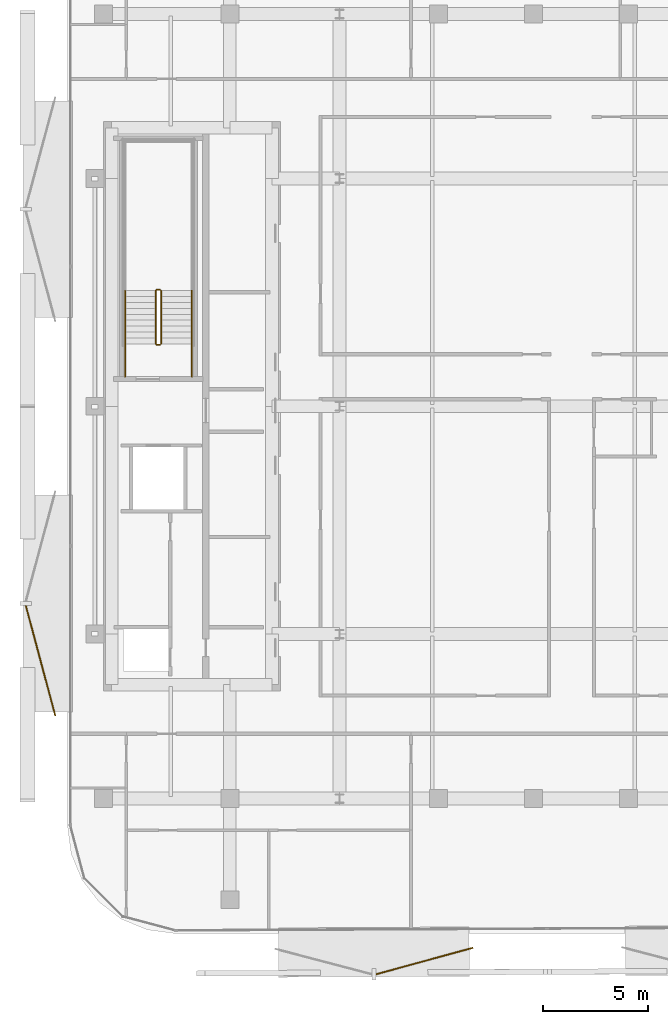
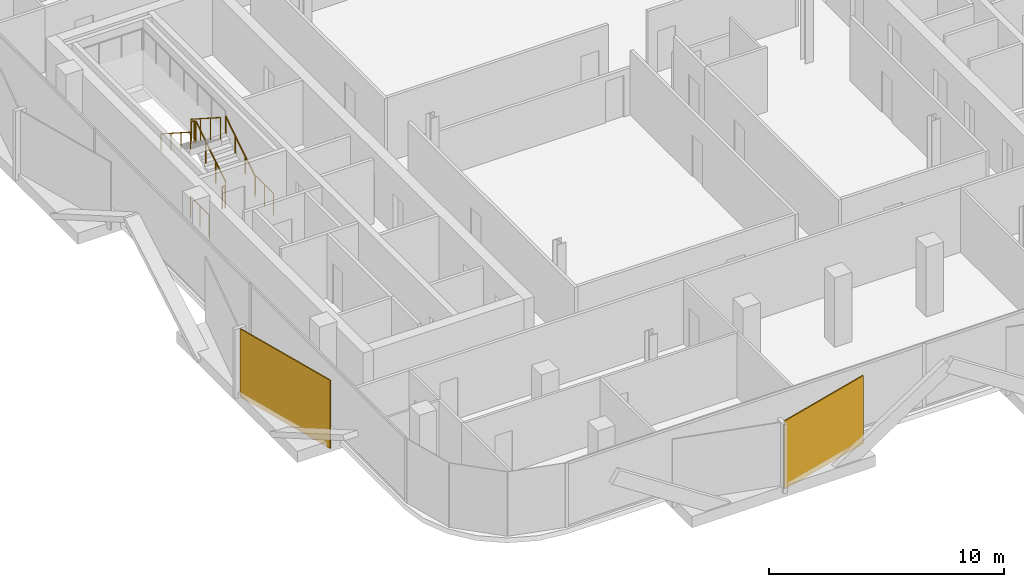
# One storey, part 12 of 14: 8 railings, 2 coverings.
"""IFC4 building model written with IfcOpenShell, lengths in metres."""

from ifc_helpers import new_model, si_unit, direction, frame, origin, origin_2d, place, context, subcontext, project, spatial, rectangle, circle, extrude, material, layer, layer_set, type_object, element, save


model = new_model("IFC4")

# Units and contexts
model_context = context("Model", 3, precision=1e-05, world=origin(), true_north=direction((0.0, 1.0)))
body_context = subcontext(model_context, "Body", "Model", "MODEL_VIEW")
ifc_project = project(units=[si_unit("LENGTHUNIT", "METRE"), si_unit("AREAUNIT", "SQUARE_METRE"), si_unit("VOLUMEUNIT", "CUBIC_METRE"), si_unit("PLANEANGLEUNIT", "RADIAN"), si_unit("MASSUNIT", "GRAM", prefix="KILO")], contexts=[model_context])

# Site, building, storey
site_placement = place(None, origin())
site = spatial("IfcSite", under=ifc_project, at=site_placement, CompositionType="ELEMENT")
building_placement = place(site_placement, origin())
building = spatial("IfcBuilding", under=site, at=building_placement, Name="Khairoan Windgate Tower", CompositionType="ELEMENT")
storey_placement = place(building_placement, frame((0.0, 0.0, 240.39990234375)))
storey = spatial("IfcBuildingStorey", under=building, at=storey_placement, Name="L56", CompositionType="ELEMENT", Elevation=240.39990234375)

# Coverings
ifc_material_1 = material(Name="Anodised Bronze Aluminium 6063-T6", Category="aluminium")
ifc_layer = layer(ifc_material_1, 0.054931640625, Name="Anodised Bronze Aluminium 6063-T6")
ifc_layer_set = layer_set([ifc_layer], Name="Anodised Bronze Aluminium 6063-T6")
covering_type = type_object("IfcCoveringType", Name="Perforated Bronze-Ceramic Folded Solar Screen Cladding BSC-1", PredefinedType="CLADDING", material=ifc_layer_set)
covering_1_placement = place(storey_placement, frame((-5.172607421875, -26.30615234375, -0.099853515625), z_axis=(0.0, 0.0, 1.0), x_axis=(-0.964649468762, -0.263536339841, 0.0)))
element("IfcCovering", 1, at=covering_1_placement, inside=storey, type_object=covering_type, Name="L56 Folded Bronze Solar Screen Facet 378L", PredefinedType="CLADDING", context=body_context, shape_type="SweptSolid", body=[
    extrude(rectangle(XDim=4.76708984375, YDim=0.054931640625, at=origin_2d()), origin(), (0.0, 0.0, 1.0), 3.5400390625),
])
covering_2_placement = place(storey_placement, frame((-23.378662109375, -12.052978515625, -0.099853515625), z_axis=(0.0, 0.0, 1.0), x_axis=(-0.258819045103, 0.965925826289, 0.0)))
element("IfcCovering", 2, at=covering_2_placement, inside=storey, type_object=covering_type, Name="L56 Folded Bronze Solar Screen Facet 379L", PredefinedType="CLADDING", context=body_context, shape_type="SweptSolid", body=[
    extrude(rectangle(XDim=5.419921875, YDim=0.054931640625, at=origin_2d()), origin(), (0.0, 0.0, 1.0), 3.5400390625),
])

# Railings
ifc_material_2 = material(Name="Anodised Bronze Aluminium 6063-T6", Category="aluminium")
railing_type_1 = type_object("IfcRailingType", Name="Stair Wall Handrail SHR-900", PredefinedType="HANDRAIL", material=ifc_material_2)
railing_1_placement = place(storey_placement, frame((-16.199951171875, 2.9599609375, 0.18017578125)))
element("IfcRailing", 3, at=railing_1_placement, inside=storey, type_object=railing_type_1, Name="L56 ST2 stair handrail 1", PredefinedType="HANDRAIL", context=body_context, shape_type="SweptSolid", body=[
    extrude(circle(Radius=0.02392578125, at=origin_2d()), frame((0.0, 0.0, 0.8759765625), z_axis=(0.0, 0.841199657755, 0.540724639528), x_axis=(-1.0, 0.0, 0.0)), (0.0, 0.0, 1.0), 2.995849609375),
    extrude(circle(Radius=0.02099609375, at=origin_2d()), origin(), (0.0, 0.0, 1.0), 0.851806640625),
    extrude(circle(Radius=0.02099609375, at=origin_2d()), frame((0.0, 0.840087890625, 0.5400390625)), (0.0, 0.0, 1.0), 0.851806640625),
    extrude(circle(Radius=0.02099609375, at=origin_2d()), frame((0.0, 1.679931640625, 1.079833984375)), (0.0, 0.0, 1.0), 0.851806640625),
    extrude(circle(Radius=0.02099609375, at=origin_2d()), frame((0.0, 2.52001953125, 1.619873046875)), (0.0, 0.0, 1.0), 0.851806640625),
])
railing_2_placement = place(storey_placement, frame((-19.3701171875, 5.47998046875, 1.97998046875)))
element("IfcRailing", 4, at=railing_2_placement, inside=storey, type_object=railing_type_1, Name="L56 ST2 stair handrail 2", PredefinedType="HANDRAIL", context=body_context, shape_type="SweptSolid", body=[
    extrude(circle(Radius=0.02392578125, at=origin_2d()), frame((0.0, 0.0, 0.8759765625), z_axis=(0.0, -0.841162588446, 0.540782303519), x_axis=(1.0, 0.0, 0.0)), (0.0, 0.0, 1.0), 2.995849609375),
    extrude(circle(Radius=0.02099609375, at=origin_2d()), origin(), (0.0, 0.0, 1.0), 0.851806640625),
    extrude(circle(Radius=0.02099609375, at=origin_2d()), frame((0.0, -0.840087890625, 0.5400390625)), (0.0, 0.0, 1.0), 0.851806640625),
    extrude(circle(Radius=0.02099609375, at=origin_2d()), frame((0.0, -1.679931640625, 1.080078125)), (0.0, 0.0, 1.0), 0.851806640625),
    extrude(circle(Radius=0.02099609375, at=origin_2d()), frame((0.0, -2.52001953125, 1.6201171875)), (0.0, 0.0, 1.0), 0.851806640625),
])
ifc_material_3 = material(Name="Steel S355", Category="steel")
railing_type_2 = type_object("IfcRailingType", Name="Stairwell Safety Guardrail SGR-1150", PredefinedType="GUARDRAIL", material=ifc_material_3)
railing_3_placement = place(storey_placement, frame((-17.659912109375, 2.9599609375, 0.18017578125)))
element("IfcRailing", 5, at=railing_3_placement, inside=storey, type_object=railing_type_2, Name="L56 ST2 stair guard 1", PredefinedType="GUARDRAIL", context=body_context, shape_type="SweptSolid", body=[
    extrude(circle(Radius=0.02392578125, at=origin_2d()), frame((0.0, 0.0, 1.1259765625), z_axis=(0.0, 0.841199657755, 0.540724639528), x_axis=(-1.0, 0.0, 0.0)), (0.0, 0.0, 1.0), 2.995849609375),
    extrude(circle(Radius=0.02099609375, at=origin_2d()), origin(), (0.0, 0.0, 1.0), 1.101806640625),
    extrude(circle(Radius=0.02099609375, at=origin_2d()), frame((0.0, 0.840087890625, 0.5400390625)), (0.0, 0.0, 1.0), 1.101806640625),
    extrude(circle(Radius=0.02099609375, at=origin_2d()), frame((0.0, 1.679931640625, 1.079833984375)), (0.0, 0.0, 1.0), 1.101806640625),
    extrude(circle(Radius=0.02099609375, at=origin_2d()), frame((0.0, 2.52001953125, 1.619873046875)), (0.0, 0.0, 1.0), 1.101806640625),
])
railing_4_placement = place(storey_placement, frame((-17.7099609375, 5.530029296875, 1.800048828125)))
element("IfcRailing", 6, at=railing_4_placement, inside=storey, type_object=railing_type_2, Name="L56 ST2 stair guard 2", PredefinedType="GUARDRAIL", context=body_context, shape_type="SweptSolid", body=[
    extrude(circle(Radius=0.02392578125, at=origin_2d()), frame((0.0, 0.0, 1.1259765625), z_axis=(-1.0, 0.0, 0.0), x_axis=(0.0, -1.0, 0.0)), (0.0, 0.0, 1.0), 0.150146484375),
    extrude(circle(Radius=0.02099609375, at=origin_2d()), origin(), (0.0, 0.0, 1.0), 1.101806640625),
    extrude(circle(Radius=0.02099609375, at=origin_2d()), frame((-0.150146484375, 0.0, 0.0)), (0.0, 0.0, 1.0), 1.101806640625),
])
railing_5_placement = place(storey_placement, frame((-17.909912109375, 5.47998046875, 1.97998046875)))
element("IfcRailing", 7, at=railing_5_placement, inside=storey, type_object=railing_type_2, Name="L56 ST2 stair guard 6", PredefinedType="GUARDRAIL", context=body_context, shape_type="SweptSolid", body=[
    extrude(circle(Radius=0.02392578125, at=origin_2d()), frame((0.0, 0.0, 1.1259765625), z_axis=(0.0, -0.841162588446, 0.540782303519), x_axis=(1.0, 0.0, 0.0)), (0.0, 0.0, 1.0), 2.995849609375),
    extrude(circle(Radius=0.02099609375, at=origin_2d()), origin(), (0.0, 0.0, 1.0), 1.101806640625),
    extrude(circle(Radius=0.02099609375, at=origin_2d()), frame((0.0, -0.840087890625, 0.5400390625)), (0.0, 0.0, 1.0), 1.101806640625),
    extrude(circle(Radius=0.02099609375, at=origin_2d()), frame((0.0, -1.679931640625, 1.080078125)), (0.0, 0.0, 1.0), 1.101806640625),
    extrude(circle(Radius=0.02099609375, at=origin_2d()), frame((0.0, -2.52001953125, 1.6201171875)), (0.0, 0.0, 1.0), 1.101806640625),
])
railing_6_placement = place(storey_placement, frame((-17.7099609375, 2.909912109375, 0.0)))
element("IfcRailing", 8, at=railing_6_placement, inside=storey, type_object=railing_type_2, Name="L56 ST2 stair guard 7", PredefinedType="GUARDRAIL", context=body_context, shape_type="SweptSolid", body=[
    extrude(circle(Radius=0.02392578125, at=origin_2d()), frame((0.0, 0.0, 1.1259765625), z_axis=(-1.0, 0.0, 0.0), x_axis=(0.0, -1.0, 0.0)), (0.0, 0.0, 1.0), 0.150146484375),
    extrude(circle(Radius=0.02099609375, at=origin_2d()), origin(), (0.0, 0.0, 1.0), 1.101806640625),
    extrude(circle(Radius=0.02099609375, at=origin_2d()), frame((-0.150146484375, 0.0, 0.0)), (0.0, 0.0, 1.0), 1.101806640625),
])
for number, where, name in (
    (9, (-16.199951171875, 1.39990234375, 0.0), "L56 ST2 stair guard 8"),
    (10, (-19.3701171875, 1.39990234375, 0.0), "L56 ST2 stair guard 9"),
):
    element("IfcRailing", number, at=place(storey_placement, frame(where)), inside=storey, type_object=railing_type_2, Name=name, PredefinedType="GUARDRAIL", context=body_context, shape_type="SweptSolid", body=[
        extrude(circle(Radius=0.02392578125, at=origin_2d()), frame((0.0, 0.0, 1.1259765625), z_axis=(0.0, 1.0, 0.0), x_axis=(-1.0, 0.0, 0.0)), (0.0, 0.0, 1.0), 1.56005859375),
        extrude(circle(Radius=0.02099609375, at=origin_2d()), origin(), (0.0, 0.0, 1.0), 1.101806640625),
        extrude(circle(Radius=0.02099609375, at=origin_2d()), frame((0.0, 0.780029296875, 0.0)), (0.0, 0.0, 1.0), 1.101806640625),
        extrude(circle(Radius=0.02099609375, at=origin_2d()), frame((0.0, 1.56005859375, 0.0)), (0.0, 0.0, 1.0), 1.101806640625),
    ])

save(model, "model.ifc")
